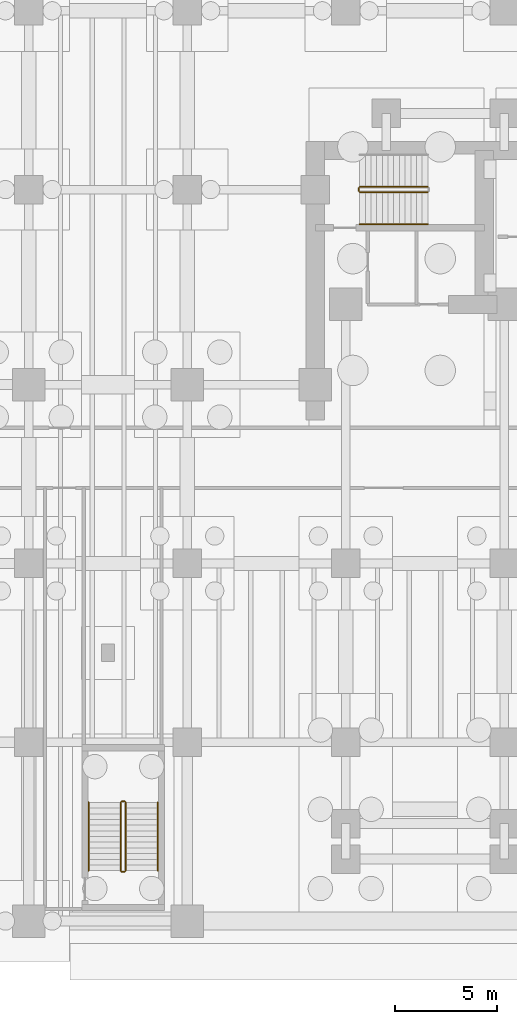
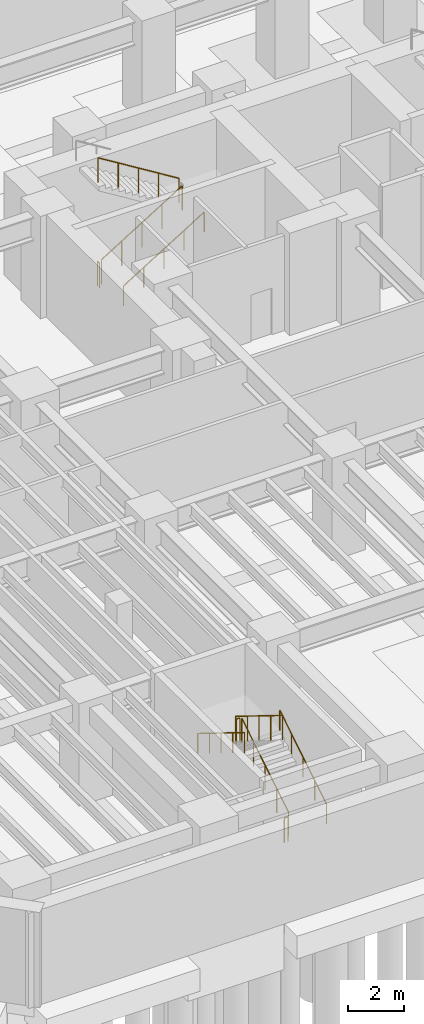
# One storey, part 11 of 13: 10 railings.
"""IFC4 building model written with IfcOpenShell, lengths in metres."""

from ifc_helpers import new_model, si_unit, direction, frame, origin, origin_2d, place, context, subcontext, project, spatial, circle, extrude, material, type_object, element, save


model = new_model("IFC4")

# Units and contexts
model_context = context("Model", 3, precision=1e-05, world=origin(), true_north=direction((0.0, 1.0)))
body_context = subcontext(model_context, "Body", "Model", "MODEL_VIEW")
ifc_project = project(units=[si_unit("LENGTHUNIT", "METRE"), si_unit("AREAUNIT", "SQUARE_METRE"), si_unit("VOLUMEUNIT", "CUBIC_METRE"), si_unit("PLANEANGLEUNIT", "RADIAN"), si_unit("MASSUNIT", "GRAM", prefix="KILO")], contexts=[model_context])

# Site, building, storey
site_placement = place(None, origin())
site = spatial("IfcSite", under=ifc_project, at=site_placement, CompositionType="ELEMENT")
building_placement = place(site_placement, origin())
building = spatial("IfcBuilding", under=site, at=building_placement, Name="Kestravale Grand Hotel", CompositionType="ELEMENT")
storey_placement = place(building_placement, frame((0.0, 0.0, -9.0)))
storey = spatial("IfcBuildingStorey", under=building, at=storey_placement, Name="B2", CompositionType="ELEMENT", Elevation=-9.0)

# Railings
ifc_material_1 = material(Name="Painted tubular steel stair well guard", Category="steel")
railing_type_1 = type_object("IfcRailingType", Name="RL-ST-GRD1100", PredefinedType="GUARDRAIL", material=ifc_material_1)
railing_1_placement = place(storey_placement, frame((24.080078125, 38.280029296875, 0.173095703125)))
element("IfcRailing", 1, at=railing_1_placement, inside=storey, type_object=railing_type_1, Name="B2 ST-1 stair guard 1", PredefinedType="GUARDRAIL", context=body_context, shape_type="SweptSolid", body=[
    extrude(circle(Radius=0.02392578125, at=origin_2d()), frame((0.0, 0.0, 1.076171875), z_axis=(0.850606129759, 0.0, 0.525803396734), x_axis=(0.0, 1.0, 0.0)), (0.0, 0.0, 1.0), 3.949951171875),
    extrude(circle(Radius=0.02099609375, at=origin_2d()), origin(), (0.0, 0.0, 1.0), 1.052001953125),
    extrude(circle(Radius=0.02099609375, at=origin_2d()), frame((0.83984375, 0.0, 0.519287109375)), (0.0, 0.0, 1.0), 1.052001953125),
    extrude(circle(Radius=0.02099609375, at=origin_2d()), frame((1.679931640625, 0.0, 1.03857421875)), (0.0, 0.0, 1.0), 1.052001953125),
    extrude(circle(Radius=0.02099609375, at=origin_2d()), frame((2.52001953125, 0.0, 1.5576171875)), (0.0, 0.0, 1.0), 1.052001953125),
    extrude(circle(Radius=0.02099609375, at=origin_2d()), frame((3.35986328125, 0.0, 2.076904296875)), (0.0, 0.0, 1.0), 1.052001953125),
])
railing_2_placement = place(storey_placement, frame((27.43994140625, 38.530029296875, 2.423095703125)))
element("IfcRailing", 2, at=railing_2_placement, inside=storey, type_object=railing_type_1, Name="B2 ST-1 stair guard 3", PredefinedType="GUARDRAIL", context=body_context, shape_type="SweptSolid", body=[
    extrude(circle(Radius=0.02392578125, at=origin_2d()), frame((0.0, 0.0, 1.076171875), z_axis=(-0.850606129759, 0.0, 0.525803396734), x_axis=(0.0, -1.0, 0.0)), (0.0, 0.0, 1.0), 3.949951171875),
    extrude(circle(Radius=0.02099609375, at=origin_2d()), origin(), (0.0, 0.0, 1.0), 1.052001953125),
    extrude(circle(Radius=0.02099609375, at=origin_2d()), frame((-0.83984375, 0.0, 0.519287109375)), (0.0, 0.0, 1.0), 1.052001953125),
    extrude(circle(Radius=0.02099609375, at=origin_2d()), frame((-1.679931640625, 0.0, 1.03857421875)), (0.0, 0.0, 1.0), 1.052001953125),
    extrude(circle(Radius=0.02099609375, at=origin_2d()), frame((-2.52001953125, 0.0, 1.5576171875)), (0.0, 0.0, 1.0), 1.052001953125),
    extrude(circle(Radius=0.02099609375, at=origin_2d()), frame((-3.35986328125, 0.0, 2.076904296875)), (0.0, 0.0, 1.0), 1.052001953125),
])
railing_3_placement = place(storey_placement, frame((24.030029296875, 38.330078125, 0.0)))
element("IfcRailing", 3, at=railing_3_placement, inside=storey, type_object=railing_type_1, Name="B2 ST-1 stair guard 4", PredefinedType="GUARDRAIL", context=body_context, shape_type="SweptSolid", body=[
    extrude(circle(Radius=0.02392578125, at=origin_2d()), frame((0.0, 0.0, 1.076171875), z_axis=(0.0, 1.0, 0.0), x_axis=(-1.0, 0.0, 0.0)), (0.0, 0.0, 1.0), 0.14990234375),
    extrude(circle(Radius=0.02099609375, at=origin_2d()), origin(), (0.0, 0.0, 1.0), 1.052001953125),
    extrude(circle(Radius=0.02099609375, at=origin_2d()), frame((0.0, 0.14990234375, 0.0)), (0.0, 0.0, 1.0), 1.052001953125),
])
railing_4_placement = place(storey_placement, frame((12.570068359375, 4.8798828125, 0.173095703125)))
element("IfcRailing", 4, at=railing_4_placement, inside=storey, type_object=railing_type_1, Name="B2 ST-4 stair guard 1", PredefinedType="GUARDRAIL", context=body_context, shape_type="SweptSolid", body=[
    extrude(circle(Radius=0.02392578125, at=origin_2d()), frame((0.0, 0.0, 1.076171875), z_axis=(0.0, 0.850623216509, 0.525775754039), x_axis=(-1.0, 0.0, 0.0)), (0.0, 0.0, 1.0), 3.9501953125),
    extrude(circle(Radius=0.02099609375, at=origin_2d()), origin(), (0.0, 0.0, 1.0), 1.052001953125),
    extrude(circle(Radius=0.02099609375, at=origin_2d()), frame((0.0, 0.840087890625, 0.519287109375)), (0.0, 0.0, 1.0), 1.052001953125),
    extrude(circle(Radius=0.02099609375, at=origin_2d()), frame((0.0, 1.68017578125, 1.03857421875)), (0.0, 0.0, 1.0), 1.052001953125),
    extrude(circle(Radius=0.02099609375, at=origin_2d()), frame((0.0, 2.52001953125, 1.5576171875)), (0.0, 0.0, 1.0), 1.052001953125),
    extrude(circle(Radius=0.02099609375, at=origin_2d()), frame((0.0, 3.360107421875, 2.076904296875)), (0.0, 0.0, 1.0), 1.052001953125),
])
railing_5_placement = place(storey_placement, frame((12.52001953125, 8.2900390625, 2.25)))
element("IfcRailing", 5, at=railing_5_placement, inside=storey, type_object=railing_type_1, Name="B2 ST-4 stair guard 2", PredefinedType="GUARDRAIL", context=body_context, shape_type="SweptSolid", body=[
    extrude(circle(Radius=0.02392578125, at=origin_2d()), frame((0.0, 0.0, 1.076171875), z_axis=(-1.0, 0.0, 0.0), x_axis=(0.0, -1.0, 0.0)), (0.0, 0.0, 1.0), 0.14990234375),
    extrude(circle(Radius=0.02099609375, at=origin_2d()), origin(), (0.0, 0.0, 1.0), 1.052001953125),
    extrude(circle(Radius=0.02099609375, at=origin_2d()), frame((-0.14990234375, 0.0, 0.0)), (0.0, 0.0, 1.0), 1.052001953125),
])
railing_6_placement = place(storey_placement, frame((12.320068359375, 8.239990234375, 2.423095703125)))
element("IfcRailing", 6, at=railing_6_placement, inside=storey, type_object=railing_type_1, Name="B2 ST-4 stair guard 3", PredefinedType="GUARDRAIL", context=body_context, shape_type="SweptSolid", body=[
    extrude(circle(Radius=0.02392578125, at=origin_2d()), frame((0.0, 0.0, 1.076171875), z_axis=(0.0, -0.850623216509, 0.525775754039), x_axis=(1.0, 0.0, 0.0)), (0.0, 0.0, 1.0), 3.9501953125),
    extrude(circle(Radius=0.02099609375, at=origin_2d()), origin(), (0.0, 0.0, 1.0), 1.052001953125),
    extrude(circle(Radius=0.02099609375, at=origin_2d()), frame((0.0, -0.840087890625, 0.519287109375)), (0.0, 0.0, 1.0), 1.052001953125),
    extrude(circle(Radius=0.02099609375, at=origin_2d()), frame((0.0, -1.68017578125, 1.03857421875)), (0.0, 0.0, 1.0), 1.052001953125),
    extrude(circle(Radius=0.02099609375, at=origin_2d()), frame((0.0, -2.52001953125, 1.5576171875)), (0.0, 0.0, 1.0), 1.052001953125),
    extrude(circle(Radius=0.02099609375, at=origin_2d()), frame((0.0, -3.360107421875, 2.076904296875)), (0.0, 0.0, 1.0), 1.052001953125),
])
railing_7_placement = place(storey_placement, frame((12.52001953125, 4.830078125, 0.0)))
element("IfcRailing", 7, at=railing_7_placement, inside=storey, type_object=railing_type_1, Name="B2 ST-4 stair guard 4", PredefinedType="GUARDRAIL", context=body_context, shape_type="SweptSolid", body=[
    extrude(circle(Radius=0.02392578125, at=origin_2d()), frame((0.0, 0.0, 1.076171875), z_axis=(-1.0, 0.0, 0.0), x_axis=(0.0, -1.0, 0.0)), (0.0, 0.0, 1.0), 0.14990234375),
    extrude(circle(Radius=0.02099609375, at=origin_2d()), origin(), (0.0, 0.0, 1.0), 1.052001953125),
    extrude(circle(Radius=0.02099609375, at=origin_2d()), frame((-0.14990234375, 0.0, 0.0)), (0.0, 0.0, 1.0), 1.052001953125),
])
ifc_material_2 = material(Name="Brushed stainless steel wall handrail", Category="steel")
railing_type_2 = type_object("IfcRailingType", Name="RL-ST-HND900", PredefinedType="HANDRAIL", material=ifc_material_2)
railing_8_placement = place(storey_placement, frame((24.080078125, 36.699951171875, 0.173095703125)))
element("IfcRailing", 8, at=railing_8_placement, inside=storey, type_object=railing_type_2, Name="B2 ST-1 stair handrail 1", PredefinedType="HANDRAIL", context=body_context, shape_type="SweptSolid", body=[
    extrude(circle(Radius=0.02392578125, at=origin_2d()), frame((0.0, 0.0, 0.8759765625), z_axis=(0.850606129759, 0.0, 0.525803396734), x_axis=(0.0, 1.0, 0.0)), (0.0, 0.0, 1.0), 3.949951171875),
    extrude(circle(Radius=0.02099609375, at=origin_2d()), origin(), (0.0, 0.0, 1.0), 0.851806640625),
    extrude(circle(Radius=0.02099609375, at=origin_2d()), frame((0.83984375, 0.0, 0.519287109375)), (0.0, 0.0, 1.0), 0.851806640625),
    extrude(circle(Radius=0.02099609375, at=origin_2d()), frame((1.679931640625, 0.0, 1.03857421875)), (0.0, 0.0, 1.0), 0.851806640625),
    extrude(circle(Radius=0.02099609375, at=origin_2d()), frame((2.52001953125, 0.0, 1.5576171875)), (0.0, 0.0, 1.0), 0.851806640625),
    extrude(circle(Radius=0.02099609375, at=origin_2d()), frame((3.35986328125, 0.0, 2.076904296875)), (0.0, 0.0, 1.0), 0.851806640625),
])
railing_9_placement = place(storey_placement, frame((14.14990234375, 4.8798828125, 0.173095703125)))
element("IfcRailing", 9, at=railing_9_placement, inside=storey, type_object=railing_type_2, Name="B2 ST-4 stair handrail 1", PredefinedType="HANDRAIL", context=body_context, shape_type="SweptSolid", body=[
    extrude(circle(Radius=0.02392578125, at=origin_2d()), frame((0.0, 0.0, 0.8759765625), z_axis=(0.0, 0.850623216509, 0.525775754039), x_axis=(-1.0, 0.0, 0.0)), (0.0, 0.0, 1.0), 3.9501953125),
    extrude(circle(Radius=0.02099609375, at=origin_2d()), origin(), (0.0, 0.0, 1.0), 0.851806640625),
    extrude(circle(Radius=0.02099609375, at=origin_2d()), frame((0.0, 0.840087890625, 0.519287109375)), (0.0, 0.0, 1.0), 0.851806640625),
    extrude(circle(Radius=0.02099609375, at=origin_2d()), frame((0.0, 1.68017578125, 1.03857421875)), (0.0, 0.0, 1.0), 0.851806640625),
    extrude(circle(Radius=0.02099609375, at=origin_2d()), frame((0.0, 2.52001953125, 1.5576171875)), (0.0, 0.0, 1.0), 0.851806640625),
    extrude(circle(Radius=0.02099609375, at=origin_2d()), frame((0.0, 3.360107421875, 2.076904296875)), (0.0, 0.0, 1.0), 0.851806640625),
])
railing_10_placement = place(storey_placement, frame((10.739990234375, 8.239990234375, 2.423095703125)))
element("IfcRailing", 10, at=railing_10_placement, inside=storey, type_object=railing_type_2, Name="B2 ST-4 stair handrail 2", PredefinedType="HANDRAIL", context=body_context, shape_type="SweptSolid", body=[
    extrude(circle(Radius=0.02392578125, at=origin_2d()), frame((0.0, 0.0, 0.8759765625), z_axis=(0.0, -0.850623216509, 0.525775754039), x_axis=(1.0, 0.0, 0.0)), (0.0, 0.0, 1.0), 3.9501953125),
    extrude(circle(Radius=0.02099609375, at=origin_2d()), origin(), (0.0, 0.0, 1.0), 0.851806640625),
    extrude(circle(Radius=0.02099609375, at=origin_2d()), frame((0.0, -0.840087890625, 0.519287109375)), (0.0, 0.0, 1.0), 0.851806640625),
    extrude(circle(Radius=0.02099609375, at=origin_2d()), frame((0.0, -1.68017578125, 1.03857421875)), (0.0, 0.0, 1.0), 0.851806640625),
    extrude(circle(Radius=0.02099609375, at=origin_2d()), frame((0.0, -2.52001953125, 1.5576171875)), (0.0, 0.0, 1.0), 0.851806640625),
    extrude(circle(Radius=0.02099609375, at=origin_2d()), frame((0.0, -3.360107421875, 2.076904296875)), (0.0, 0.0, 1.0), 0.851806640625),
])

save(model, "model.ifc")
